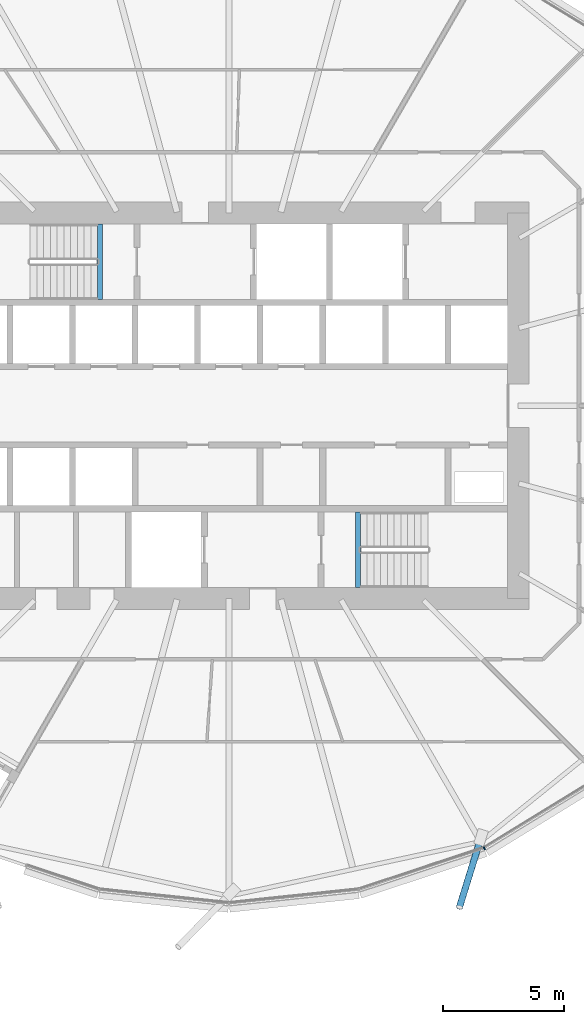
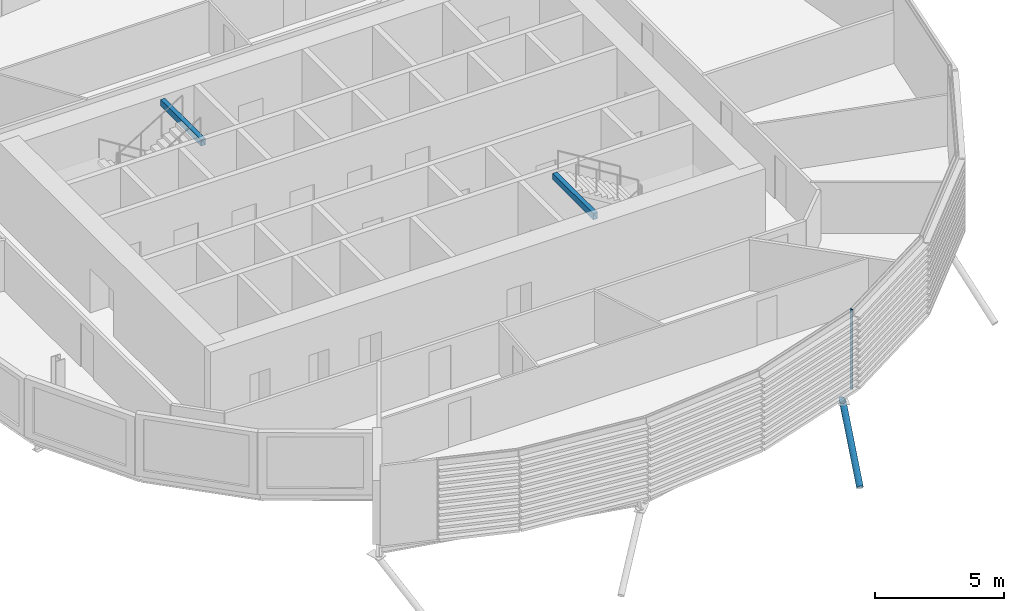
# One storey, part 6 of 37: 2 beams, 2 members, 1 element without a shape of its own.
"""IFC4 building model written with IfcOpenShell, lengths in metres."""

from ifc_helpers import new_model, si_unit, direction, frame, origin, origin_2d, place, context, subcontext, project, spatial, rectangle, hollow_rectangle, hollow_circle, extrude, clip, halfspace, material, material_profile, profile_set, type_object, element, aggregate, save


model = new_model("IFC4")

# Units and contexts
model_context = context("Model", 3, precision=1e-05, world=origin(), true_north=direction((0.0, 1.0)))
body_context = subcontext(model_context, "Body", "Model", "MODEL_VIEW")
ifc_project = project(units=[si_unit("LENGTHUNIT", "METRE"), si_unit("AREAUNIT", "SQUARE_METRE"), si_unit("VOLUMEUNIT", "CUBIC_METRE"), si_unit("PLANEANGLEUNIT", "RADIAN"), si_unit("MASSUNIT", "GRAM", prefix="KILO")], contexts=[model_context])

# Site, building, storey
site_placement = place(None, origin())
site = spatial("IfcSite", under=ifc_project, at=site_placement, CompositionType="ELEMENT")
building_placement = place(site_placement, origin())
building = spatial("IfcBuilding", under=site, at=building_placement, Name="Rimbun Link Towers", CompositionType="ELEMENT")
storey_placement = place(building_placement, frame((0.0, 0.0, 60.39990234375)))
storey = spatial("IfcBuildingStorey", under=building, at=storey_placement, Name="L14", CompositionType="ELEMENT", Elevation=60.39990234375)

# Curtain wall, member
ifc_material_1 = material(Name="Aluminium 6063-T6 and low-iron glass", Category="aluminium")
curtain_wall_type = type_object("IfcCurtainWallType", Name="CW1 unitised vision wall", PredefinedType="NOTDEFINED", material=ifc_material_1)
curtain_wall_placement = place(storey_placement, origin())
curtain_wall = element("IfcCurtainWall", 1, at=curtain_wall_placement, inside=storey, type_object=curtain_wall_type, Name="CW1 L14 T1", PredefinedType="NOTDEFINED")
ifc_material_2 = material(Name="Aluminium 6063-T6", Category="aluminium")
ifc_material_profile_1 = material_profile(ifc_material_2, rectangle(XDim=0.1201171875, YDim=0.06005859375, at=origin_2d()), Name="MULLION 60X120")
ifc_profile_set_1 = profile_set([ifc_material_profile_1], Name="Aluminium 6063-T6")
member_type_1 = type_object("IfcMemberType", Name="CW1 mullion 60X120", PredefinedType="MULLION", material=ifc_profile_set_1)
member_1_placement = place(storey_placement, frame((-21.15380859375, -18.364013671875, 0.0), z_axis=(0.0, 0.0, 1.0), x_axis=(0.421704717158, -0.9067332196, 0.0)))
member_1 = element("IfcMember", 2, at=member_1_placement, type_object=member_type_1, Name="CW1 mullion", PredefinedType="MULLION", context=body_context, shape_type="SweptSolid", body=[
    extrude(rectangle(XDim=0.1201171875, YDim=0.06005859375, at=origin_2d()), origin(), (0.0, 0.0, 1.0), 3.800048828125),
])
aggregate(curtain_wall, [member_1])

# Member
ifc_material_3 = material(Name="Steel S355J2H", Category="steel")
ifc_material_profile_2 = material_profile(ifc_material_3, hollow_circle(Radius=0.136474609375, WallThickness=0.012451171875, at=origin_2d()), Name="CHS 273x12.5")
ifc_profile_set_2 = profile_set([ifc_material_profile_2], Name="Steel S355J2H")
member_type_2 = type_object("IfcMemberType", Name="Floor edge link CHS 273x12.5", PredefinedType="BRACE", material=ifc_profile_set_2)
member_2_placement = place(storey_placement, frame((-21.33154296875, -18.045166015625, -0.876220703125), z_axis=(-0.246180262262, -0.795168546856, -0.554168079706), x_axis=(0.955266660557, -0.295745849047, 0.0)))
element("IfcMember", 3, at=member_2_placement, inside=storey, type_object=member_type_2, Name="Floor edge link T1 L14 20", PredefinedType="BRACE", context=body_context, shape_type="Clipping", body=[
    clip(extrude(hollow_circle(Radius=0.136474609375, WallThickness=0.012451171875, at=origin_2d()), frame((0.0, 0.0, -0.427978515625)), (0.0, 0.0, 1.0), 3.916015625), halfspace(frame((0.0, 0.0, -0.20166015625), z_axis=(0.0, 0.832404793016, -0.554168079706)), False)),
])

# Beams
ifc_material_4 = material(Name="Steel S355J2", Category="steel")
ifc_material_profile_3 = material_profile(ifc_material_4, hollow_rectangle(XDim=0.199951171875, YDim=0.300048828125, WallThickness=0.011962890625, at=origin_2d()), Name="BOX 300x200x12")
ifc_profile_set_3 = profile_set([ifc_material_profile_3], Name="Steel S355J2")
beam_type = type_object("IfcBeamType", Name="Stair trimmer beam BOX 300x200x12", PredefinedType="BEAM", material=ifc_profile_set_3)
for number, where, z_axis, x_axis, name in (
    (4, (-37.10009765625, 7.550048828125, 3.489990234375), (0.0, -1.0, 0.0), (1.0, 0.0, 0.0), "L14 ST1 stair beam 1"),
    (5, (-26.39990234375, -7.550048828125, 3.489990234375), (0.0, 1.0, 0.0), (-1.0, 0.0, 0.0), "L14 ST2 stair beam 1"),
):
    element("IfcBeam", number, at=place(storey_placement, frame(where, z_axis=z_axis, x_axis=x_axis)), inside=storey, type_object=beam_type, Name=name, PredefinedType="BEAM", context=body_context, shape_type="SweptSolid", body=[
        extrude(hollow_rectangle(XDim=0.199951171875, YDim=0.300048828125, WallThickness=0.011962890625, at=origin_2d()), origin(), (0.0, 0.0, 1.0), 3.150146484375),
    ])

save(model, "model.ifc")
